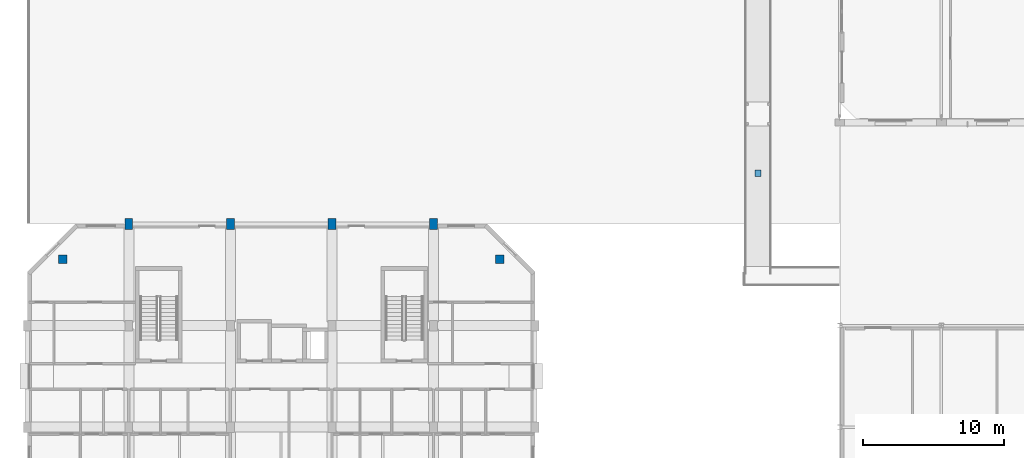
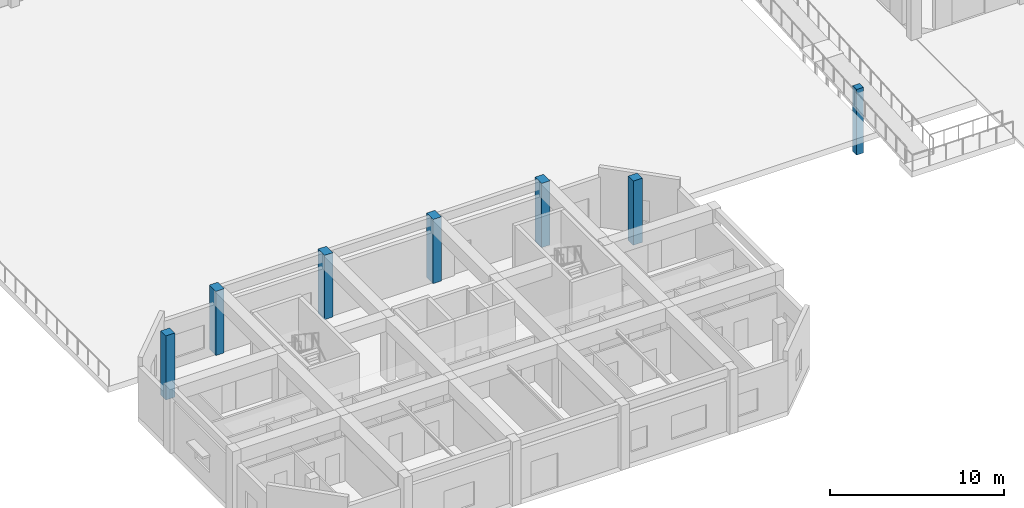
# One storey, part 3 of 85: 7 columns.
"""IFC4 building model written with IfcOpenShell, lengths in metres."""

from ifc_helpers import new_model, si_unit, direction, frame, origin, origin_2d, place, context, subcontext, project, spatial, rectangle, extrude, material, material_profile, profile_set, type_object, element, save


model = new_model("IFC4")

# Units and contexts
model_context = context("Model", 3, precision=1e-05, world=origin(), true_north=direction((0.0, 1.0)))
body_context = subcontext(model_context, "Body", "Model", "MODEL_VIEW")
ifc_project = project(units=[si_unit("LENGTHUNIT", "METRE"), si_unit("AREAUNIT", "SQUARE_METRE"), si_unit("VOLUMEUNIT", "CUBIC_METRE"), si_unit("PLANEANGLEUNIT", "RADIAN"), si_unit("MASSUNIT", "GRAM", prefix="KILO")], contexts=[model_context])

# Site, building, storey
site_placement = place(None, origin())
site = spatial("IfcSite", under=ifc_project, at=site_placement, CompositionType="ELEMENT")
building_placement = place(site_placement, origin())
building = spatial("IfcBuilding", under=site, at=building_placement, Name="Ochrevale Crest", CompositionType="ELEMENT")
storey_placement = place(building_placement, origin())
storey = spatial("IfcBuildingStorey", under=building, at=storey_placement, Name="L00", CompositionType="ELEMENT", Elevation=0.0)

# Columns
ifc_material_1 = material(Name="Precast concrete C40/50", Category="concrete")
ifc_material_profile_1 = material_profile(ifc_material_1, rectangle(XDim=0.449951171875, YDim=0.449951171875, at=origin_2d()), Name="RC 450x450")
ifc_profile_set_1 = profile_set([ifc_material_profile_1], Name="Precast concrete C40/50")
column_type_1 = type_object("IfcColumnType", Name="COL-RC450x450", PredefinedType="COLUMN", material=ifc_profile_set_1)
column_placement = place(storey_placement, frame((51.800048828125, 39.60009765625, -3.860107421875), z_axis=(0.0, 0.0, 1.0), x_axis=(1.0, 0.0, 0.0)))
element("IfcColumn", 1, at=column_placement, inside=storey, type_object=column_type_1, Name="Foundation support pier FTG-PF-RW1A", PredefinedType="COLUMN", context=body_context, shape_type="SweptSolid", body=[
    extrude(rectangle(XDim=0.449951171875, YDim=0.449951171875, at=origin_2d()), origin(), (0.0, 0.0, 1.0), 4.610107421875),
])
ifc_material_2 = material(Name="Precast concrete C50/60", Category="concrete")
ifc_material_profile_2 = material_profile(ifc_material_2, rectangle(XDim=0.550048828125, YDim=0.75, at=origin_2d()), Name="RC 550x750")
ifc_profile_set_2 = profile_set([ifc_material_profile_2], Name="Precast concrete C50/60")
column_type_2 = type_object("IfcColumnType", Name="COL-RC550x750", PredefinedType="COLUMN", material=ifc_profile_set_2)
for number, where, z_axis, x_axis, name in (
    (2, (7.199951171875, 36.0, 0.0), (0.0, 0.0, 1.0), (1.0, 0.0, 0.0), "Block A L00 column (7.2,36.0)"),
    (3, (14.39990234375, 36.0, 0.0), (0.0, 0.0, 1.0), (1.0, 0.0, 0.0), "Block A L00 column (14.4,36.0)"),
    (4, (21.60009765625, 36.0, 0.0), (0.0, 0.0, 1.0), (1.0, 0.0, 0.0), "Block A L00 column (21.6,36.0)"),
    (5, (28.800048828125, 36.0, 0.0), (0.0, 0.0, 1.0), (1.0, 0.0, 0.0), "Block A L00 column (28.8,36.0)"),
):
    element("IfcColumn", number, at=place(storey_placement, frame(where, z_axis=z_axis, x_axis=x_axis)), inside=storey, type_object=column_type_2, Name=name, PredefinedType="COLUMN", context=body_context, shape_type="SweptSolid", body=[
        extrude(rectangle(XDim=0.550048828125, YDim=0.75, at=origin_2d()), origin(), (0.0, 0.0, 1.0), 4.5),
    ])
ifc_material_profile_3 = material_profile(ifc_material_2, rectangle(XDim=0.60009765625, YDim=0.60009765625, at=origin_2d()), Name="RC 600x600")
ifc_profile_set_3 = profile_set([ifc_material_profile_3], Name="Precast concrete C50/60")
column_type_3 = type_object("IfcColumnType", Name="COL-RC600x600", PredefinedType="COLUMN", material=ifc_profile_set_3)
for number, where, z_axis, x_axis, name in (
    (6, (2.5, 33.5, 0.0), (0.0, 0.0, 1.0), (1.0, 0.0, 0.0), "Block A L00 column (2.5,33.5)"),
    (7, (33.5, 33.5, 0.0), (0.0, 0.0, 1.0), (1.0, 0.0, 0.0), "Block A L00 column (33.5,33.5)"),
):
    element("IfcColumn", number, at=place(storey_placement, frame(where, z_axis=z_axis, x_axis=x_axis)), inside=storey, type_object=column_type_3, Name=name, PredefinedType="COLUMN", context=body_context, shape_type="SweptSolid", body=[
        extrude(rectangle(XDim=0.60009765625, YDim=0.60009765625, at=origin_2d()), origin(), (0.0, 0.0, 1.0), 4.5),
    ])

save(model, "model.ifc")
